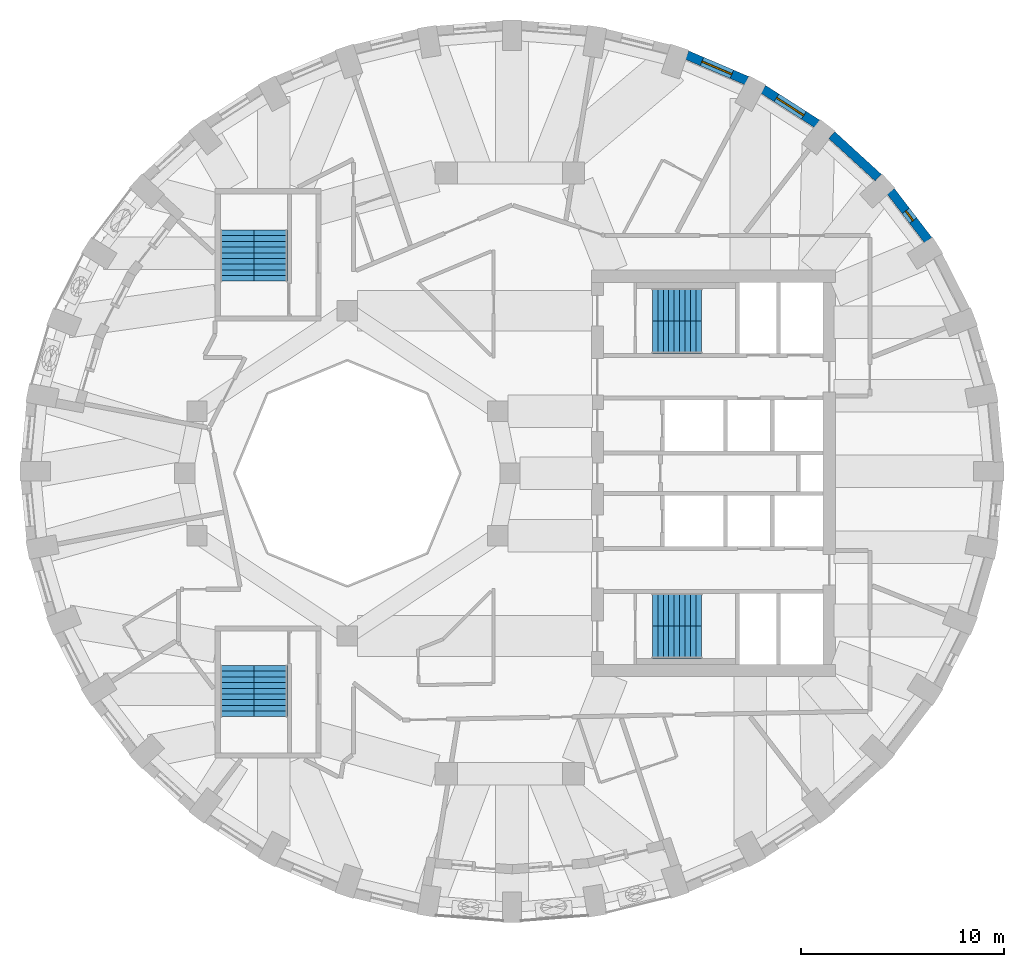
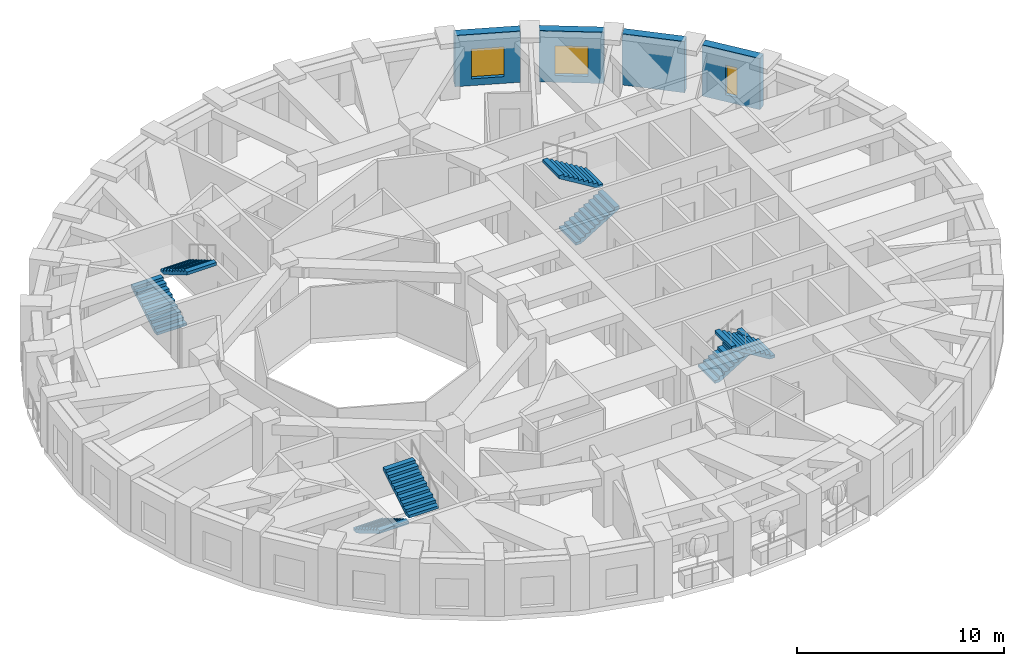
# One storey, part 8 of 11: 8 stair flights, 4 walls, 3 windows, 3 openings, 4 elements without a shape of their own.
"""IFC4 building model written with IfcOpenShell, lengths in metres."""

import ifcopenshell
import ifcopenshell.guid

model = None  # the IFC model being written
_history = None  # IfcOwnerHistory: only IFC2X3 demands one
_inside = {}  # id of a spatial element -> (the spatial element, [elements in it])
_under = {}  # id of a project, library or spatial element -> (it, [spatial elements below it])
_declared = {}  # id of a project -> (the project, [libraries it declares])
_typed = {}  # id of a type object -> (the type object, [elements of that type])
_made_of = {}  # id of a material, layer set ... -> (it, [elements and type objects made of it])


def new_model(schema):
    """Start an empty IFC model of exactly this schema.

    Asked for "IFC4X3", IfcOpenShell would pick the latest addendum, in which some entities
    have other attributes; the version numbers below select the first issue.
    IFC2X3 requires an IfcOwnerHistory on every rooted entity: one is made here for all.
    """
    global model, _history
    if schema == "IFC4X3":
        model = ifcopenshell.file(schema_version=(4, 3, 0, 0))
    else:
        model = ifcopenshell.file(schema=schema)
    _inside.clear()
    _under.clear()
    _declared.clear()
    _typed.clear()
    _made_of.clear()
    _history = None
    if model.schema == "IFC2X3":
        org = make("IfcOrganization", Name="unknown")
        user = make(
            "IfcPersonAndOrganization",
            ThePerson=make("IfcPerson", FamilyName="unknown"),
            TheOrganization=org,
        )
        app = make(
            "IfcApplication",
            ApplicationDeveloper=org,
            Version="unknown",
            ApplicationFullName="unknown",
            ApplicationIdentifier="unknown",
        )
        _history = make(
            "IfcOwnerHistory",
            OwningUser=user,
            OwningApplication=app,
            ChangeAction="ADDED",
            CreationDate=0,
        )
    return model


def make(cls, **values):
    """One entity of the class cls with the attributes given. An attribute that is None is left unset."""
    return model.create_entity(
        cls, **{name: value for name, value in values.items() if value is not None}
    )


def rooted(cls, **values):
    """An entity with a GlobalId (a new one), such as an element, a storey or a relation."""
    return make(cls, GlobalId=ifcopenshell.guid.new(), OwnerHistory=_history, **values)


def si_unit(unit_type, name, prefix=None):
    """IfcSIUnit, for example si_unit("LENGTHUNIT", "METRE", prefix="MILLI")."""
    return make("IfcSIUnit", UnitType=unit_type, Prefix=prefix, Name=name)


def assignment(units):
    """IfcUnitAssignment: the units of a project."""
    return None if units is None else make("IfcUnitAssignment", Units=units)


def point(xyz):
    """IfcCartesianPoint."""
    return None if xyz is None else make("IfcCartesianPoint", Coordinates=xyz)


def direction(xyz):
    """IfcDirection."""
    return None if xyz is None else make("IfcDirection", DirectionRatios=xyz)


def frame(location, z_axis=None, x_axis=None):
    """IfcAxis2Placement3D, a coordinate frame: its origin and axes. An axis left out is left unset."""
    return make(
        "IfcAxis2Placement3D",
        Location=point(location),
        Axis=direction(z_axis),
        RefDirection=direction(x_axis),
    )


def frame_2d(location, x_axis=None):
    """IfcAxis2Placement2D, a coordinate frame in the plane: its origin and x axis."""
    return make(
        "IfcAxis2Placement2D", Location=point(location), RefDirection=direction(x_axis)
    )


def origin():
    """The frame at (0, 0, 0) with its axes left unset."""
    return frame((0.0, 0.0, 0.0))


def place(relative_to, where):
    """IfcLocalPlacement: puts the frame where relative to a parent placement (None: the world)."""
    return make(
        "IfcLocalPlacement", PlacementRelTo=relative_to, RelativePlacement=where
    )


def context(
    kind, dimensions, precision=None, world=None, true_north=None, identifier=None
):
    """IfcGeometricRepresentationContext, for example the 3D "Model" context."""
    return make(
        "IfcGeometricRepresentationContext",
        ContextIdentifier=identifier,
        ContextType=kind,
        CoordinateSpaceDimension=dimensions,
        Precision=precision,
        WorldCoordinateSystem=world,
        TrueNorth=true_north,
    )


def subcontext(parent, identifier, kind, view, scale=None):
    """IfcGeometricRepresentationSubContext, for example "Body" below "Model"."""
    return make(
        "IfcGeometricRepresentationSubContext",
        ContextIdentifier=identifier,
        ContextType=kind,
        ParentContext=parent,
        TargetScale=scale,
        TargetView=view,
    )


def project(units=None, contexts=None):
    """IfcProject with its units and contexts."""
    return rooted(
        "IfcProject",
        Name="project",
        RepresentationContexts=contexts,
        UnitsInContext=assignment(units),
    )


def spatial(cls, under=None, at=None, **own):
    """A site, building, storey or space (cls), placed at a placement, below another one or the project."""
    s = rooted(cls, ObjectPlacement=at, **own)
    if under is not None:
        _under.setdefault(under.id(), (under, []))[1].append(s)
    return s


def polyline(points):
    """IfcPolyline through the points."""
    return make("IfcPolyline", Points=[point(p) for p in points])


def profile(cls, at=None, kind="AREA", **sizes):
    """A parametric profile (cls). Its sizes go by their IFC names, for example OverallWidth=200.0."""
    return make(cls, ProfileType=kind, Position=at, **sizes)


def rectangle(**sizes):
    """IfcRectangleProfileDef."""
    return profile("IfcRectangleProfileDef", **sizes)


def outline(outer, holes=None, kind="AREA"):
    """IfcArbitraryClosedProfileDef: a profile drawn as a closed curve; with holes, ...WithVoids."""
    if holes is None:
        return make("IfcArbitraryClosedProfileDef", ProfileType=kind, OuterCurve=outer)
    return make(
        "IfcArbitraryProfileDefWithVoids",
        ProfileType=kind,
        OuterCurve=outer,
        InnerCurves=holes,
    )


def extrude(swept, where, along, depth):
    """IfcExtrudedAreaSolid: the profile swept, set in the frame where, extruded along a direction by depth."""
    return make(
        "IfcExtrudedAreaSolid",
        SweptArea=swept,
        Position=where,
        ExtrudedDirection=direction(along),
        Depth=depth,
    )


def shape(context_of_items, identifier, shape_type, items):
    """IfcShapeRepresentation: the items that make up one representation, for example the "Body"."""
    return make(
        "IfcShapeRepresentation",
        ContextOfItems=context_of_items,
        RepresentationIdentifier=identifier,
        RepresentationType=shape_type,
        Items=items,
    )


def material(Name=None, Category=None):
    """IfcMaterial."""
    return make("IfcMaterial", Name=Name, Category=Category)


def layer(
    of_material, thickness, ventilated=None, Name=None, Category=None, Priority=None
):
    """IfcMaterialLayer: one layer of a wall or slab, of a material (None: an air gap)."""
    return make(
        "IfcMaterialLayer",
        Material=of_material,
        LayerThickness=thickness,
        IsVentilated=ventilated,
        Name=Name,
        Category=Category,
        Priority=Priority,
    )


def layer_set(layers, Name=None):
    """IfcMaterialLayerSet."""
    return make("IfcMaterialLayerSet", MaterialLayers=layers, LayerSetName=Name)


def made_of(thing, what):
    """Note that an element or type object is made of a material, layer set ...; save() writes the relation."""
    if what is not None:
        _made_of.setdefault(what.id(), (what, []))[1].append(thing)
    return thing


def type_object(cls, material=None, **own):
    """A type object (cls), such as IfcWallType, which elements share."""
    return made_of(rooted(cls, **own), material)


def element(
    cls,
    number,
    at=None,
    inside=None,
    cuts=None,
    type_object=None,
    material=None,
    context=None,
    identifier="Body",
    shape_type=None,
    held_by="IfcProductDefinitionShape",
    body=None,
    shapes=None,
    **own,
):
    """One element of the class cls, such as IfcWall. Its Tag is "e" and its number.

    at: its placement. inside: the storey or other place that contains it. cuts: it is an
    opening in that element (IfcRelVoidsElement). A single representation is given by context,
    identifier, shape_type and body (its items); several are given by shapes. held_by: the class
    of the entity that holds the representations. save() writes the other relations.
    """
    e = rooted(cls, Tag="e%d" % number, ObjectPlacement=at, **own)
    if body is not None:
        shapes = [shape(context, identifier, shape_type, body)]
    if shapes is not None:
        e.Representation = make(held_by, Representations=shapes)
    if inside is not None:
        _inside.setdefault(inside.id(), (inside, []))[1].append(e)
    if cuts is not None:
        rooted(
            "IfcRelVoidsElement", RelatingBuildingElement=cuts, RelatedOpeningElement=e
        )
    if type_object is not None:
        _typed.setdefault(type_object.id(), (type_object, []))[1].append(e)
    return made_of(e, material)


def fill(opening, filler):
    """IfcRelFillsElement: the door or window that sits in an opening."""
    return rooted(
        "IfcRelFillsElement",
        RelatingOpeningElement=opening,
        RelatedBuildingElement=filler,
    )


def aggregate(whole, parts):
    """IfcRelAggregates: a whole, such as a stair, and the parts it consists of."""
    return rooted("IfcRelAggregates", RelatingObject=whole, RelatedObjects=parts)


def save(model, path):
    """Write the relations noted so far, then the file.

    IfcRelAggregates (storeys below a building ...), IfcRelContainedInSpatialStructure (elements
    in a storey), IfcRelDefinesByType, IfcRelAssociatesMaterial and IfcRelDeclares: one each for
    every whole, place, type object, material and project.
    """
    for whole, parts in _under.values():
        aggregate(whole, parts)
    for where, things in _inside.values():
        rooted(
            "IfcRelContainedInSpatialStructure",
            RelatedElements=things,
            RelatingStructure=where,
        )
    for kind, things in _typed.values():
        rooted("IfcRelDefinesByType", RelatedObjects=things, RelatingType=kind)
    for what, things in _made_of.values():
        rooted("IfcRelAssociatesMaterial", RelatedObjects=things, RelatingMaterial=what)
    for by, libraries in _declared.values():
        rooted("IfcRelDeclares", RelatingContext=by, RelatedDefinitions=libraries)
    model.write(path)


model = new_model("IFC4")

# Units and contexts
model_context = context("Model", 3, precision=1e-05, world=origin(), true_north=direction((0.0, 1.0)))
body_context = subcontext(model_context, "Body", "Model", "MODEL_VIEW")
ifc_project = project(units=[si_unit("LENGTHUNIT", "METRE"), si_unit("AREAUNIT", "SQUARE_METRE"), si_unit("VOLUMEUNIT", "CUBIC_METRE"), si_unit("PLANEANGLEUNIT", "RADIAN"), si_unit("MASSUNIT", "GRAM", prefix="KILO")], contexts=[model_context])

# Site, building, storey
site_placement = place(None, origin())
site = spatial("IfcSite", under=ifc_project, at=site_placement, CompositionType="ELEMENT")
building_placement = place(site_placement, origin())
building = spatial("IfcBuilding", under=site, at=building_placement, Name="Taillehof Tower", CompositionType="ELEMENT")
storey_placement = place(building_placement, frame((0.0, 0.0, 161.60009765625)))
storey = spatial("IfcBuildingStorey", under=building, at=storey_placement, Name="L45", CompositionType="ELEMENT", Elevation=161.60009765625)

# Wall, opening, window
ifc_material_1 = material(Name="Brick masonry", Category="masonry")
ifc_layer = layer(ifc_material_1, 0.449951171875)
ifc_layer_set = layer_set([ifc_layer], Name="Brick infill wall 450")
wall_type = type_object("IfcWallType", Name="Brick infill wall 450", PredefinedType="SOLIDWALL", material=ifc_layer_set)
wall_1_placement = place(storey_placement, frame((20.573974609375, 11.467041015625, 0.0), z_axis=(0.0, 0.0, 1.0), x_axis=(-0.607817056371, 0.794077090706, 0.0)))
wall_1 = element("IfcWall", 1, at=wall_1_placement, inside=storey, type_object=wall_type, Name="Brick wall L45 bay 4", PredefinedType="SOLIDWALL", context=body_context, shape_type="SweptSolid", body=[
    extrude(rectangle(XDim=3.037109375, YDim=0.449951171875, at=frame_2d((1.5185546875, 0.0))), origin(), (0.0, 0.0, 1.0), 3.02001953125),
])
opening_1_placement = place(wall_1_placement, frame((1.218505859375, 0.0, 0.39990234375)))
opening_1 = element("IfcOpeningElement", 2, at=opening_1_placement, cuts=wall_1, Name="Opening W6", PredefinedType="OPENING", context=body_context, shape_type="SweptSolid", body=[
    extrude(rectangle(XDim=0.60009765625, YDim=1.75, at=frame_2d((0.300048828125, 0.875))), frame((0.0, 0.23486328125, 0.0), z_axis=(0.0, -1.0, 0.0), x_axis=(1.0, 0.0, 0.0)), (0.0, 0.0, 1.0), 0.469970703125),
])
ifc_material_2 = material(Name="Aluminium window frame with clear double glazing", Category="aluminium")
window_type_1 = type_object("IfcWindowType", Name="Slot window 600x1750", PartitioningType="SINGLE_PANEL", PredefinedType="WINDOW", material=ifc_material_2)
window_1_placement = place(opening_1_placement, origin())
window_1 = element("IfcWindow", 3, at=window_1_placement, inside=storey, type_object=window_type_1, Name="W6", OverallHeight=1.75, OverallWidth=0.60009765625, PartitioningType="SINGLE_PANEL", PredefinedType="WINDOW", context=body_context, shape_type="SweptSolid", body=[
    extrude(rectangle(XDim=0.60009765625, YDim=1.75, at=frame_2d((0.300048828125, 0.875))), frame((0.0, 0.034912109375, 0.0), z_axis=(0.0, -1.0, 0.0), x_axis=(1.0, 0.0, 0.0)), (0.0, 0.0, 1.0), 0.06005859375),
])
fill(opening_1, window_1)

# Wall
wall_2_placement = place(storey_placement, frame((18.11328125, 14.5498046875, 0.0), z_axis=(0.0, 0.0, 1.0), x_axis=(-0.737808755941, 0.675009807082, 0.0)))
element("IfcWall", 4, at=wall_2_placement, inside=storey, type_object=wall_type, Name="Brick wall L45 bay 5", PredefinedType="SOLIDWALL", context=body_context, shape_type="SweptSolid", body=[
    extrude(rectangle(XDim=3.094482421875, YDim=0.449951171875, at=frame_2d((1.54736328125, 0.0))), origin(), (0.0, 0.0, 1.0), 3.02001953125),
])

# Wall, opening, window
wall_3_placement = place(storey_placement, frame((15.1083984375, 17.193359375, 0.0), z_axis=(0.0, 0.0, 1.0), x_axis=(-0.842030726237, 0.539429565442, 0.0)))
wall_3 = element("IfcWall", 5, at=wall_3_placement, inside=storey, type_object=wall_type, Name="Brick wall L45 bay 6", PredefinedType="SOLIDWALL", context=body_context, shape_type="SweptSolid", body=[
    extrude(rectangle(XDim=3.1513671875, YDim=0.449951171875, at=frame_2d((1.57568359375, 0.0))), origin(), (0.0, 0.0, 1.0), 3.02001953125),
])
opening_2_placement = place(wall_3_placement, frame((0.775634765625, 0.0, 0.39990234375)))
opening_2 = element("IfcOpeningElement", 6, at=opening_2_placement, cuts=wall_3, Name="Opening W3", PredefinedType="OPENING", context=body_context, shape_type="SweptSolid", body=[
    extrude(rectangle(XDim=1.60009765625, YDim=1.75, at=frame_2d((0.800048828125, 0.875))), frame((0.0, 0.23486328125, 0.0), z_axis=(0.0, -1.0, 0.0), x_axis=(1.0, 0.0, 0.0)), (0.0, 0.0, 1.0), 0.469970703125),
])
ifc_material_3 = material(Name="Aluminium window frame with clear double glazing", Category="aluminium")
window_type_2 = type_object("IfcWindowType", Name="Deep-set window 1600x1750", PartitioningType="SINGLE_PANEL", PredefinedType="WINDOW", material=ifc_material_3)
window_2_placement = place(opening_2_placement, origin())
window_2 = element("IfcWindow", 7, at=window_2_placement, inside=storey, type_object=window_type_2, Name="W3", OverallHeight=1.75, OverallWidth=1.60009765625, PartitioningType="SINGLE_PANEL", PredefinedType="WINDOW", context=body_context, shape_type="SweptSolid", body=[
    extrude(rectangle(XDim=1.60009765625, YDim=1.75, at=frame_2d((0.800048828125, 0.875))), frame((0.0, 0.034912109375, 0.0), z_axis=(0.0, -1.0, 0.0), x_axis=(1.0, 0.0, 0.0)), (0.0, 0.0, 1.0), 0.06005859375),
])
fill(opening_2, window_2)

wall_4_placement = place(storey_placement, frame((11.650390625, 19.318603515625, 0.0), z_axis=(0.0, 0.0, 1.0), x_axis=(-0.91981046949, 0.392362969986, 0.0)))
wall_4 = element("IfcWall", 8, at=wall_4_placement, inside=storey, type_object=wall_type, Name="Brick wall L45 bay 7", PredefinedType="SOLIDWALL", context=body_context, shape_type="SweptSolid", body=[
    extrude(rectangle(XDim=3.20068359375, YDim=0.449951171875, at=frame_2d((1.600341796875, 0.0))), origin(), (0.0, 0.0, 1.0), 3.02001953125),
])
opening_3_placement = place(wall_4_placement, frame((0.80029296875, 0.0, 0.39990234375)))
opening_3 = element("IfcOpeningElement", 9, at=opening_3_placement, cuts=wall_4, Name="Opening W3", PredefinedType="OPENING", context=body_context, shape_type="SweptSolid", body=[
    extrude(rectangle(XDim=1.60009765625, YDim=1.75, at=frame_2d((0.800048828125, 0.875))), frame((0.0, 0.23486328125, 0.0), z_axis=(0.0, -1.0, 0.0), x_axis=(1.0, 0.0, 0.0)), (0.0, 0.0, 1.0), 0.469970703125),
])
window_3_placement = place(opening_3_placement, origin())
window_3 = element("IfcWindow", 10, at=window_3_placement, inside=storey, type_object=window_type_2, Name="W3", OverallHeight=1.75, OverallWidth=1.60009765625, PartitioningType="SINGLE_PANEL", PredefinedType="WINDOW", context=body_context, shape_type="SweptSolid", body=[
    extrude(rectangle(XDim=1.60009765625, YDim=1.75, at=frame_2d((0.800048828125, 0.875))), frame((0.0, 0.034912109375, 0.0), z_axis=(0.0, -1.0, 0.0), x_axis=(1.0, 0.0, 0.0)), (0.0, 0.0, 1.0), 0.06005859375),
])
fill(opening_3, window_3)

# Stair, stair flights
ifc_material_4 = material(Name="Concrete C40/50", Category="concrete")
stair_type = type_object("IfcStairType", Name="Exit stair half-turn", PredefinedType="HALF_TURN_STAIR", material=ifc_material_4)
stair_1_placement = place(storey_placement, origin())
stair_1 = element("IfcStair", 11, at=stair_1_placement, inside=storey, type_object=stair_type, Name="Exit stair S1", PredefinedType="HALF_TURN_STAIR")
ifc_material_5 = material(Name="Concrete C40/50", Category="concrete")
stair_flight_type_1 = type_object("IfcStairFlightType", Name="Stair flight 1600 riser 165.0 going 270", PredefinedType="STRAIGHT", material=ifc_material_5)
stair_flight_1_placement = place(storey_placement, frame((7.0, 6.699951171875, 0.0), z_axis=(0.0, 0.0, 1.0), x_axis=(1.0, 0.0, 0.0)))
stair_flight_1 = element("IfcStairFlight", 12, at=stair_flight_1_placement, type_object=stair_flight_type_1, Name="S1 flight 1", NumberOfRisers=10, NumberOfTreads=9, PredefinedType="STRAIGHT", RiserHeight=0.165, TreadLength=0.27, context=body_context, shape_type="SweptSolid", body=[
    extrude(outline(polyline([(0.0, 0.0), (0.0, 0.00537109375), (0.0, 0.0107421875), (0.0, 0.015869140625), (0.0, 0.021240234375), (0.0, 0.026611328125), (0.0, 0.031982421875), (0.0, 0.037353515625), (0.0, 0.04248046875), (0.0, 0.0478515625), (0.0, 0.05322265625), (0.0, 0.05859375), (0.0, 0.06396484375), (0.0, 0.069091796875), (0.0, 0.074462890625), (0.0, 0.079833984375), (0.0, 0.085205078125), (0.0, 0.090576171875), (0.0, 0.095703125), (0.0, 0.10107421875), (0.0, 0.1064453125), (0.0, 0.11181640625), (0.0, 0.1171875), (0.0, 0.122314453125), (0.0, 0.127685546875), (0.0, 0.133056640625), (0.0, 0.138427734375), (0.0, 0.143798828125), (0.0, 0.14892578125), (0.0, 0.154296875), (0.0, 0.15966796875), (0.0, 0.1650390625), (0.27001953125, 0.1650390625), (0.27001953125, 0.330078125), (0.5400390625, 0.330078125), (0.5400390625, 0.4951171875), (0.81005859375, 0.4951171875), (0.81005859375, 0.659912109375), (1.080078125, 0.659912109375), (1.080078125, 0.824951171875), (1.35009765625, 0.824951171875), (1.35009765625, 0.989990234375), (1.6201171875, 0.989990234375), (1.6201171875, 1.155029296875), (1.889892578125, 1.155029296875), (1.889892578125, 1.320068359375), (2.159912109375, 1.320068359375), (2.159912109375, 1.485107421875), (2.429931640625, 1.485107421875), (2.429931640625, 1.479248046875), (2.429931640625, 1.4736328125), (2.429931640625, 1.468017578125), (2.429931640625, 1.46240234375), (2.429931640625, 1.45654296875), (2.429931640625, 1.450927734375), (2.429931640625, 1.4453125), (2.429931640625, 1.439697265625), (2.429931640625, 1.43408203125), (2.429931640625, 1.42822265625), (2.429931640625, 1.422607421875), (2.429931640625, 1.4169921875), (2.429931640625, 1.411376953125), (2.429931640625, 1.40576171875), (2.429931640625, 1.39990234375), (2.429931640625, 1.394287109375), (2.429931640625, 1.388671875), (2.429931640625, 1.383056640625), (2.429931640625, 1.37744140625), (2.429931640625, 1.37158203125), (2.429931640625, 1.365966796875), (2.429931640625, 1.3603515625), (2.429931640625, 1.354736328125), (2.429931640625, 1.348876953125), (2.429931640625, 1.34326171875), (2.429931640625, 1.337646484375), (2.429931640625, 1.33203125), (2.429931640625, 1.326416015625), (2.429931640625, 1.320556640625), (2.429931640625, 1.31494140625), (2.429931640625, 1.309326171875), (0.287353515625, 0.0), (0.0, 0.0)])), frame((0.0, 0.800048828125, 0.0), z_axis=(0.0, -1.0, 0.0), x_axis=(1.0, 0.0, 0.0)), (0.0, 0.0, 1.0), 1.6),
])
stair_flight_2_placement = place(storey_placement, frame((9.429931640625, 8.300048828125, 1.64990234375), z_axis=(0.0, 0.0, 1.0), x_axis=(-1.0, 0.0, 0.0)))
stair_flight_2 = element("IfcStairFlight", 13, at=stair_flight_2_placement, type_object=stair_flight_type_1, Name="S1 flight 2", NumberOfRisers=10, NumberOfTreads=9, PredefinedType="STRAIGHT", RiserHeight=0.165, TreadLength=0.27, context=body_context, shape_type="SweptSolid", body=[
    extrude(outline(polyline([(0.0, 0.0), (0.0, 0.00537109375), (0.0, 0.0107421875), (0.0, 0.015869140625), (0.0, 0.021240234375), (0.0, 0.026611328125), (0.0, 0.031982421875), (0.0, 0.037353515625), (0.0, 0.04248046875), (0.0, 0.0478515625), (0.0, 0.05322265625), (0.0, 0.05859375), (0.0, 0.06396484375), (0.0, 0.069091796875), (0.0, 0.074462890625), (0.0, 0.079833984375), (0.0, 0.085205078125), (0.0, 0.090576171875), (0.0, 0.095703125), (0.0, 0.10107421875), (0.0, 0.1064453125), (0.0, 0.11181640625), (0.0, 0.1171875), (0.0, 0.122314453125), (0.0, 0.127685546875), (0.0, 0.133056640625), (0.0, 0.138427734375), (0.0, 0.143798828125), (0.0, 0.14892578125), (0.0, 0.154296875), (0.0, 0.15966796875), (0.0, 0.1650390625), (0.27001953125, 0.1650390625), (0.27001953125, 0.330078125), (0.5400390625, 0.330078125), (0.5400390625, 0.4951171875), (0.81005859375, 0.4951171875), (0.81005859375, 0.659912109375), (1.080078125, 0.659912109375), (1.080078125, 0.824951171875), (1.35009765625, 0.824951171875), (1.35009765625, 0.989990234375), (1.6201171875, 0.989990234375), (1.6201171875, 1.155029296875), (1.889892578125, 1.155029296875), (1.889892578125, 1.320068359375), (2.159912109375, 1.320068359375), (2.159912109375, 1.485107421875), (2.429931640625, 1.485107421875), (2.429931640625, 1.479248046875), (2.429931640625, 1.4736328125), (2.429931640625, 1.468017578125), (2.429931640625, 1.46240234375), (2.429931640625, 1.45654296875), (2.429931640625, 1.450927734375), (2.429931640625, 1.4453125), (2.429931640625, 1.439697265625), (2.429931640625, 1.43408203125), (2.429931640625, 1.42822265625), (2.429931640625, 1.422607421875), (2.429931640625, 1.4169921875), (2.429931640625, 1.411376953125), (2.429931640625, 1.40576171875), (2.429931640625, 1.39990234375), (2.429931640625, 1.394287109375), (2.429931640625, 1.388671875), (2.429931640625, 1.383056640625), (2.429931640625, 1.37744140625), (2.429931640625, 1.37158203125), (2.429931640625, 1.365966796875), (2.429931640625, 1.3603515625), (2.429931640625, 1.354736328125), (2.429931640625, 1.348876953125), (2.429931640625, 1.34326171875), (2.429931640625, 1.337646484375), (2.429931640625, 1.33203125), (2.429931640625, 1.326416015625), (2.429931640625, 1.320556640625), (2.429931640625, 1.31494140625), (2.429931640625, 1.309326171875), (0.287353515625, 0.0), (0.0, 0.0)])), frame((0.0, 0.800048828125, 0.0), z_axis=(0.0, -1.0, 0.0), x_axis=(1.0, 0.0, 0.0)), (0.0, 0.0, 1.0), 1.6),
])
aggregate(stair_1, [stair_flight_1, stair_flight_2])

stair_2_placement = place(storey_placement, origin())
stair_2 = element("IfcStair", 14, at=stair_2_placement, inside=storey, type_object=stair_type, Name="Exit stair S2", PredefinedType="HALF_TURN_STAIR")
stair_flight_3_placement = place(storey_placement, frame((7.0, -6.699951171875, 0.0), z_axis=(0.0, 0.0, 1.0), x_axis=(1.0, 0.0, 0.0)))
stair_flight_3 = element("IfcStairFlight", 15, at=stair_flight_3_placement, type_object=stair_flight_type_1, Name="S2 flight 1", NumberOfRisers=10, NumberOfTreads=9, PredefinedType="STRAIGHT", RiserHeight=0.165, TreadLength=0.27, context=body_context, shape_type="SweptSolid", body=[
    extrude(outline(polyline([(0.0, 0.0), (0.0, 0.00537109375), (0.0, 0.0107421875), (0.0, 0.015869140625), (0.0, 0.021240234375), (0.0, 0.026611328125), (0.0, 0.031982421875), (0.0, 0.037353515625), (0.0, 0.04248046875), (0.0, 0.0478515625), (0.0, 0.05322265625), (0.0, 0.05859375), (0.0, 0.06396484375), (0.0, 0.069091796875), (0.0, 0.074462890625), (0.0, 0.079833984375), (0.0, 0.085205078125), (0.0, 0.090576171875), (0.0, 0.095703125), (0.0, 0.10107421875), (0.0, 0.1064453125), (0.0, 0.11181640625), (0.0, 0.1171875), (0.0, 0.122314453125), (0.0, 0.127685546875), (0.0, 0.133056640625), (0.0, 0.138427734375), (0.0, 0.143798828125), (0.0, 0.14892578125), (0.0, 0.154296875), (0.0, 0.15966796875), (0.0, 0.1650390625), (0.27001953125, 0.1650390625), (0.27001953125, 0.330078125), (0.5400390625, 0.330078125), (0.5400390625, 0.4951171875), (0.81005859375, 0.4951171875), (0.81005859375, 0.659912109375), (1.080078125, 0.659912109375), (1.080078125, 0.824951171875), (1.35009765625, 0.824951171875), (1.35009765625, 0.989990234375), (1.6201171875, 0.989990234375), (1.6201171875, 1.155029296875), (1.889892578125, 1.155029296875), (1.889892578125, 1.320068359375), (2.159912109375, 1.320068359375), (2.159912109375, 1.485107421875), (2.429931640625, 1.485107421875), (2.429931640625, 1.479248046875), (2.429931640625, 1.4736328125), (2.429931640625, 1.468017578125), (2.429931640625, 1.46240234375), (2.429931640625, 1.45654296875), (2.429931640625, 1.450927734375), (2.429931640625, 1.4453125), (2.429931640625, 1.439697265625), (2.429931640625, 1.43408203125), (2.429931640625, 1.42822265625), (2.429931640625, 1.422607421875), (2.429931640625, 1.4169921875), (2.429931640625, 1.411376953125), (2.429931640625, 1.40576171875), (2.429931640625, 1.39990234375), (2.429931640625, 1.394287109375), (2.429931640625, 1.388671875), (2.429931640625, 1.383056640625), (2.429931640625, 1.37744140625), (2.429931640625, 1.37158203125), (2.429931640625, 1.365966796875), (2.429931640625, 1.3603515625), (2.429931640625, 1.354736328125), (2.429931640625, 1.348876953125), (2.429931640625, 1.34326171875), (2.429931640625, 1.337646484375), (2.429931640625, 1.33203125), (2.429931640625, 1.326416015625), (2.429931640625, 1.320556640625), (2.429931640625, 1.31494140625), (2.429931640625, 1.309326171875), (0.287353515625, 0.0), (0.0, 0.0)])), frame((0.0, 0.800048828125, 0.0), z_axis=(0.0, -1.0, 0.0), x_axis=(1.0, 0.0, 0.0)), (0.0, 0.0, 1.0), 1.6),
])
stair_flight_4_placement = place(storey_placement, frame((9.429931640625, -8.300048828125, 1.64990234375), z_axis=(0.0, 0.0, 1.0), x_axis=(-1.0, 0.0, 0.0)))
stair_flight_4 = element("IfcStairFlight", 16, at=stair_flight_4_placement, type_object=stair_flight_type_1, Name="S2 flight 2", NumberOfRisers=10, NumberOfTreads=9, PredefinedType="STRAIGHT", RiserHeight=0.165, TreadLength=0.27, context=body_context, shape_type="SweptSolid", body=[
    extrude(outline(polyline([(0.0, 0.0), (0.0, 0.00537109375), (0.0, 0.0107421875), (0.0, 0.015869140625), (0.0, 0.021240234375), (0.0, 0.026611328125), (0.0, 0.031982421875), (0.0, 0.037353515625), (0.0, 0.04248046875), (0.0, 0.0478515625), (0.0, 0.05322265625), (0.0, 0.05859375), (0.0, 0.06396484375), (0.0, 0.069091796875), (0.0, 0.074462890625), (0.0, 0.079833984375), (0.0, 0.085205078125), (0.0, 0.090576171875), (0.0, 0.095703125), (0.0, 0.10107421875), (0.0, 0.1064453125), (0.0, 0.11181640625), (0.0, 0.1171875), (0.0, 0.122314453125), (0.0, 0.127685546875), (0.0, 0.133056640625), (0.0, 0.138427734375), (0.0, 0.143798828125), (0.0, 0.14892578125), (0.0, 0.154296875), (0.0, 0.15966796875), (0.0, 0.1650390625), (0.27001953125, 0.1650390625), (0.27001953125, 0.330078125), (0.5400390625, 0.330078125), (0.5400390625, 0.4951171875), (0.81005859375, 0.4951171875), (0.81005859375, 0.659912109375), (1.080078125, 0.659912109375), (1.080078125, 0.824951171875), (1.35009765625, 0.824951171875), (1.35009765625, 0.989990234375), (1.6201171875, 0.989990234375), (1.6201171875, 1.155029296875), (1.889892578125, 1.155029296875), (1.889892578125, 1.320068359375), (2.159912109375, 1.320068359375), (2.159912109375, 1.485107421875), (2.429931640625, 1.485107421875), (2.429931640625, 1.479248046875), (2.429931640625, 1.4736328125), (2.429931640625, 1.468017578125), (2.429931640625, 1.46240234375), (2.429931640625, 1.45654296875), (2.429931640625, 1.450927734375), (2.429931640625, 1.4453125), (2.429931640625, 1.439697265625), (2.429931640625, 1.43408203125), (2.429931640625, 1.42822265625), (2.429931640625, 1.422607421875), (2.429931640625, 1.4169921875), (2.429931640625, 1.411376953125), (2.429931640625, 1.40576171875), (2.429931640625, 1.39990234375), (2.429931640625, 1.394287109375), (2.429931640625, 1.388671875), (2.429931640625, 1.383056640625), (2.429931640625, 1.37744140625), (2.429931640625, 1.37158203125), (2.429931640625, 1.365966796875), (2.429931640625, 1.3603515625), (2.429931640625, 1.354736328125), (2.429931640625, 1.348876953125), (2.429931640625, 1.34326171875), (2.429931640625, 1.337646484375), (2.429931640625, 1.33203125), (2.429931640625, 1.326416015625), (2.429931640625, 1.320556640625), (2.429931640625, 1.31494140625), (2.429931640625, 1.309326171875), (0.287353515625, 0.0), (0.0, 0.0)])), frame((0.0, 0.800048828125, 0.0), z_axis=(0.0, -1.0, 0.0), x_axis=(1.0, 0.0, 0.0)), (0.0, 0.0, 1.0), 1.6),
])
aggregate(stair_2, [stair_flight_3, stair_flight_4])

stair_3_placement = place(storey_placement, origin())
stair_3 = element("IfcStair", 17, at=stair_3_placement, inside=storey, type_object=stair_type, Name="Exit stair S3", PredefinedType="HALF_TURN_STAIR")
ifc_material_6 = material(Name="Concrete C40/50", Category="concrete")
stair_flight_type_2 = type_object("IfcStairFlightType", Name="Stair flight 1650 riser 165.0 going 280", PredefinedType="STRAIGHT", material=ifc_material_6)
stair_flight_5_placement = place(storey_placement, frame((-13.425048828125, 9.449951171875, 0.0), z_axis=(0.0, 0.0, 1.0), x_axis=(0.0, 1.0, 0.0)))
stair_flight_5 = element("IfcStairFlight", 18, at=stair_flight_5_placement, type_object=stair_flight_type_2, Name="S3 flight 1", NumberOfRisers=10, NumberOfTreads=9, PredefinedType="STRAIGHT", RiserHeight=0.165, TreadLength=0.28, context=body_context, shape_type="SweptSolid", body=[
    extrude(outline(polyline([(0.0, 0.0), (0.0, 0.00537109375), (0.0, 0.0107421875), (0.0, 0.015869140625), (0.0, 0.021240234375), (0.0, 0.026611328125), (0.0, 0.031982421875), (0.0, 0.037353515625), (0.0, 0.04248046875), (0.0, 0.0478515625), (0.0, 0.05322265625), (0.0, 0.05859375), (0.0, 0.06396484375), (0.0, 0.069091796875), (0.0, 0.074462890625), (0.0, 0.079833984375), (0.0, 0.085205078125), (0.0, 0.090576171875), (0.0, 0.095703125), (0.0, 0.10107421875), (0.0, 0.1064453125), (0.0, 0.11181640625), (0.0, 0.1171875), (0.0, 0.122314453125), (0.0, 0.127685546875), (0.0, 0.133056640625), (0.0, 0.138427734375), (0.0, 0.143798828125), (0.0, 0.14892578125), (0.0, 0.154296875), (0.0, 0.15966796875), (0.0, 0.1650390625), (0.280029296875, 0.1650390625), (0.280029296875, 0.330078125), (0.56005859375, 0.330078125), (0.56005859375, 0.4951171875), (0.840087890625, 0.4951171875), (0.840087890625, 0.659912109375), (1.1201171875, 0.659912109375), (1.1201171875, 0.824951171875), (1.39990234375, 0.824951171875), (1.39990234375, 0.989990234375), (1.679931640625, 0.989990234375), (1.679931640625, 1.155029296875), (1.9599609375, 1.155029296875), (1.9599609375, 1.320068359375), (2.239990234375, 1.320068359375), (2.239990234375, 1.485107421875), (2.52001953125, 1.485107421875), (2.52001953125, 1.4794921875), (2.52001953125, 1.473876953125), (2.52001953125, 1.46826171875), (2.52001953125, 1.462646484375), (2.52001953125, 1.45703125), (2.52001953125, 1.451416015625), (2.52001953125, 1.44580078125), (2.52001953125, 1.440185546875), (2.52001953125, 1.4345703125), (2.52001953125, 1.428955078125), (2.52001953125, 1.42333984375), (2.52001953125, 1.417724609375), (2.52001953125, 1.412109375), (2.52001953125, 1.406494140625), (2.52001953125, 1.40087890625), (2.52001953125, 1.395263671875), (2.52001953125, 1.3896484375), (2.52001953125, 1.384033203125), (2.52001953125, 1.37841796875), (2.52001953125, 1.372802734375), (2.52001953125, 1.3671875), (2.52001953125, 1.361572265625), (2.52001953125, 1.35595703125), (2.52001953125, 1.350341796875), (2.52001953125, 1.3447265625), (2.52001953125, 1.339111328125), (2.52001953125, 1.33349609375), (2.52001953125, 1.327880859375), (2.52001953125, 1.322265625), (2.52001953125, 1.316650390625), (2.52001953125, 1.31103515625), (0.295166015625, 0.0), (0.0, 0.0)])), frame((0.0, 0.824951171875, 0.0), z_axis=(0.0, -1.0, 0.0), x_axis=(1.0, 0.0, 0.0)), (0.0, 0.0, 1.0), 1.65),
])
stair_flight_6_placement = place(storey_placement, frame((-11.77490234375, 11.969970703125, 1.64990234375), z_axis=(0.0, 0.0, 1.0), x_axis=(0.0, -1.0, 0.0)))
stair_flight_6 = element("IfcStairFlight", 19, at=stair_flight_6_placement, type_object=stair_flight_type_2, Name="S3 flight 2", NumberOfRisers=10, NumberOfTreads=9, PredefinedType="STRAIGHT", RiserHeight=0.165, TreadLength=0.28, context=body_context, shape_type="SweptSolid", body=[
    extrude(outline(polyline([(0.0, 0.0), (0.0, 0.00537109375), (0.0, 0.0107421875), (0.0, 0.015869140625), (0.0, 0.021240234375), (0.0, 0.026611328125), (0.0, 0.031982421875), (0.0, 0.037353515625), (0.0, 0.04248046875), (0.0, 0.0478515625), (0.0, 0.05322265625), (0.0, 0.05859375), (0.0, 0.06396484375), (0.0, 0.069091796875), (0.0, 0.074462890625), (0.0, 0.079833984375), (0.0, 0.085205078125), (0.0, 0.090576171875), (0.0, 0.095703125), (0.0, 0.10107421875), (0.0, 0.1064453125), (0.0, 0.11181640625), (0.0, 0.1171875), (0.0, 0.122314453125), (0.0, 0.127685546875), (0.0, 0.133056640625), (0.0, 0.138427734375), (0.0, 0.143798828125), (0.0, 0.14892578125), (0.0, 0.154296875), (0.0, 0.15966796875), (0.0, 0.1650390625), (0.280029296875, 0.1650390625), (0.280029296875, 0.330078125), (0.56005859375, 0.330078125), (0.56005859375, 0.4951171875), (0.840087890625, 0.4951171875), (0.840087890625, 0.659912109375), (1.1201171875, 0.659912109375), (1.1201171875, 0.824951171875), (1.39990234375, 0.824951171875), (1.39990234375, 0.989990234375), (1.679931640625, 0.989990234375), (1.679931640625, 1.155029296875), (1.9599609375, 1.155029296875), (1.9599609375, 1.320068359375), (2.239990234375, 1.320068359375), (2.239990234375, 1.485107421875), (2.52001953125, 1.485107421875), (2.52001953125, 1.4794921875), (2.52001953125, 1.473876953125), (2.52001953125, 1.46826171875), (2.52001953125, 1.462646484375), (2.52001953125, 1.45703125), (2.52001953125, 1.451416015625), (2.52001953125, 1.44580078125), (2.52001953125, 1.440185546875), (2.52001953125, 1.4345703125), (2.52001953125, 1.428955078125), (2.52001953125, 1.42333984375), (2.52001953125, 1.417724609375), (2.52001953125, 1.412109375), (2.52001953125, 1.406494140625), (2.52001953125, 1.40087890625), (2.52001953125, 1.395263671875), (2.52001953125, 1.3896484375), (2.52001953125, 1.384033203125), (2.52001953125, 1.37841796875), (2.52001953125, 1.372802734375), (2.52001953125, 1.3671875), (2.52001953125, 1.361572265625), (2.52001953125, 1.35595703125), (2.52001953125, 1.350341796875), (2.52001953125, 1.3447265625), (2.52001953125, 1.339111328125), (2.52001953125, 1.33349609375), (2.52001953125, 1.327880859375), (2.52001953125, 1.322265625), (2.52001953125, 1.316650390625), (2.52001953125, 1.31103515625), (0.295166015625, 0.0), (0.0, 0.0)])), frame((0.0, 0.824951171875, 0.0), z_axis=(0.0, -1.0, 0.0), x_axis=(1.0, 0.0, 0.0)), (0.0, 0.0, 1.0), 1.65),
])
aggregate(stair_3, [stair_flight_5, stair_flight_6])

stair_4_placement = place(storey_placement, origin())
stair_4 = element("IfcStair", 20, at=stair_4_placement, inside=storey, type_object=stair_type, Name="Exit stair S4", PredefinedType="HALF_TURN_STAIR")
stair_flight_7_placement = place(storey_placement, frame((-13.425048828125, -9.449951171875, 0.0), z_axis=(0.0, 0.0, 1.0), x_axis=(0.0, -1.0, 0.0)))
stair_flight_7 = element("IfcStairFlight", 21, at=stair_flight_7_placement, type_object=stair_flight_type_2, Name="S4 flight 1", NumberOfRisers=10, NumberOfTreads=9, PredefinedType="STRAIGHT", RiserHeight=0.165, TreadLength=0.28, context=body_context, shape_type="SweptSolid", body=[
    extrude(outline(polyline([(0.0, 0.0), (0.0, 0.00537109375), (0.0, 0.0107421875), (0.0, 0.015869140625), (0.0, 0.021240234375), (0.0, 0.026611328125), (0.0, 0.031982421875), (0.0, 0.037353515625), (0.0, 0.04248046875), (0.0, 0.0478515625), (0.0, 0.05322265625), (0.0, 0.05859375), (0.0, 0.06396484375), (0.0, 0.069091796875), (0.0, 0.074462890625), (0.0, 0.079833984375), (0.0, 0.085205078125), (0.0, 0.090576171875), (0.0, 0.095703125), (0.0, 0.10107421875), (0.0, 0.1064453125), (0.0, 0.11181640625), (0.0, 0.1171875), (0.0, 0.122314453125), (0.0, 0.127685546875), (0.0, 0.133056640625), (0.0, 0.138427734375), (0.0, 0.143798828125), (0.0, 0.14892578125), (0.0, 0.154296875), (0.0, 0.15966796875), (0.0, 0.1650390625), (0.280029296875, 0.1650390625), (0.280029296875, 0.330078125), (0.56005859375, 0.330078125), (0.56005859375, 0.4951171875), (0.840087890625, 0.4951171875), (0.840087890625, 0.659912109375), (1.1201171875, 0.659912109375), (1.1201171875, 0.824951171875), (1.39990234375, 0.824951171875), (1.39990234375, 0.989990234375), (1.679931640625, 0.989990234375), (1.679931640625, 1.155029296875), (1.9599609375, 1.155029296875), (1.9599609375, 1.320068359375), (2.239990234375, 1.320068359375), (2.239990234375, 1.485107421875), (2.52001953125, 1.485107421875), (2.52001953125, 1.4794921875), (2.52001953125, 1.473876953125), (2.52001953125, 1.46826171875), (2.52001953125, 1.462646484375), (2.52001953125, 1.45703125), (2.52001953125, 1.451416015625), (2.52001953125, 1.44580078125), (2.52001953125, 1.440185546875), (2.52001953125, 1.4345703125), (2.52001953125, 1.428955078125), (2.52001953125, 1.42333984375), (2.52001953125, 1.417724609375), (2.52001953125, 1.412109375), (2.52001953125, 1.406494140625), (2.52001953125, 1.40087890625), (2.52001953125, 1.395263671875), (2.52001953125, 1.3896484375), (2.52001953125, 1.384033203125), (2.52001953125, 1.37841796875), (2.52001953125, 1.372802734375), (2.52001953125, 1.3671875), (2.52001953125, 1.361572265625), (2.52001953125, 1.35595703125), (2.52001953125, 1.350341796875), (2.52001953125, 1.3447265625), (2.52001953125, 1.339111328125), (2.52001953125, 1.33349609375), (2.52001953125, 1.327880859375), (2.52001953125, 1.322265625), (2.52001953125, 1.316650390625), (2.52001953125, 1.31103515625), (0.295166015625, 0.0), (0.0, 0.0)])), frame((0.0, 0.824951171875, 0.0), z_axis=(0.0, -1.0, 0.0), x_axis=(1.0, 0.0, 0.0)), (0.0, 0.0, 1.0), 1.65),
])
stair_flight_8_placement = place(storey_placement, frame((-11.77490234375, -11.969970703125, 1.64990234375), z_axis=(0.0, 0.0, 1.0), x_axis=(0.0, 1.0, 0.0)))
stair_flight_8 = element("IfcStairFlight", 22, at=stair_flight_8_placement, type_object=stair_flight_type_2, Name="S4 flight 2", NumberOfRisers=10, NumberOfTreads=9, PredefinedType="STRAIGHT", RiserHeight=0.165, TreadLength=0.28, context=body_context, shape_type="SweptSolid", body=[
    extrude(outline(polyline([(0.0, 0.0), (0.0, 0.00537109375), (0.0, 0.0107421875), (0.0, 0.015869140625), (0.0, 0.021240234375), (0.0, 0.026611328125), (0.0, 0.031982421875), (0.0, 0.037353515625), (0.0, 0.04248046875), (0.0, 0.0478515625), (0.0, 0.05322265625), (0.0, 0.05859375), (0.0, 0.06396484375), (0.0, 0.069091796875), (0.0, 0.074462890625), (0.0, 0.079833984375), (0.0, 0.085205078125), (0.0, 0.090576171875), (0.0, 0.095703125), (0.0, 0.10107421875), (0.0, 0.1064453125), (0.0, 0.11181640625), (0.0, 0.1171875), (0.0, 0.122314453125), (0.0, 0.127685546875), (0.0, 0.133056640625), (0.0, 0.138427734375), (0.0, 0.143798828125), (0.0, 0.14892578125), (0.0, 0.154296875), (0.0, 0.15966796875), (0.0, 0.1650390625), (0.280029296875, 0.1650390625), (0.280029296875, 0.330078125), (0.56005859375, 0.330078125), (0.56005859375, 0.4951171875), (0.840087890625, 0.4951171875), (0.840087890625, 0.659912109375), (1.1201171875, 0.659912109375), (1.1201171875, 0.824951171875), (1.39990234375, 0.824951171875), (1.39990234375, 0.989990234375), (1.679931640625, 0.989990234375), (1.679931640625, 1.155029296875), (1.9599609375, 1.155029296875), (1.9599609375, 1.320068359375), (2.239990234375, 1.320068359375), (2.239990234375, 1.485107421875), (2.52001953125, 1.485107421875), (2.52001953125, 1.4794921875), (2.52001953125, 1.473876953125), (2.52001953125, 1.46826171875), (2.52001953125, 1.462646484375), (2.52001953125, 1.45703125), (2.52001953125, 1.451416015625), (2.52001953125, 1.44580078125), (2.52001953125, 1.440185546875), (2.52001953125, 1.4345703125), (2.52001953125, 1.428955078125), (2.52001953125, 1.42333984375), (2.52001953125, 1.417724609375), (2.52001953125, 1.412109375), (2.52001953125, 1.406494140625), (2.52001953125, 1.40087890625), (2.52001953125, 1.395263671875), (2.52001953125, 1.3896484375), (2.52001953125, 1.384033203125), (2.52001953125, 1.37841796875), (2.52001953125, 1.372802734375), (2.52001953125, 1.3671875), (2.52001953125, 1.361572265625), (2.52001953125, 1.35595703125), (2.52001953125, 1.350341796875), (2.52001953125, 1.3447265625), (2.52001953125, 1.339111328125), (2.52001953125, 1.33349609375), (2.52001953125, 1.327880859375), (2.52001953125, 1.322265625), (2.52001953125, 1.316650390625), (2.52001953125, 1.31103515625), (0.295166015625, 0.0), (0.0, 0.0)])), frame((0.0, 0.824951171875, 0.0), z_axis=(0.0, -1.0, 0.0), x_axis=(1.0, 0.0, 0.0)), (0.0, 0.0, 1.0), 1.65),
])
aggregate(stair_4, [stair_flight_7, stair_flight_8])

save(model, "model.ifc")
